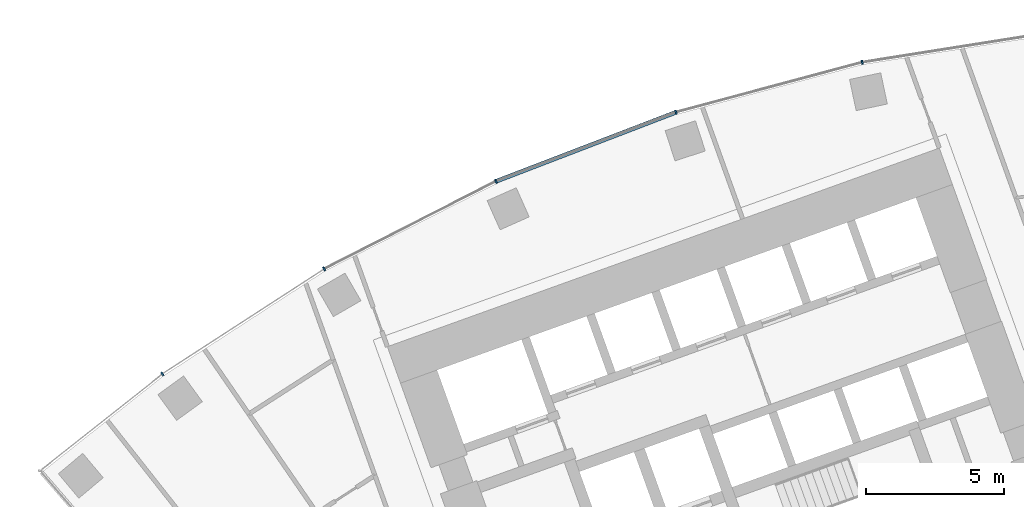
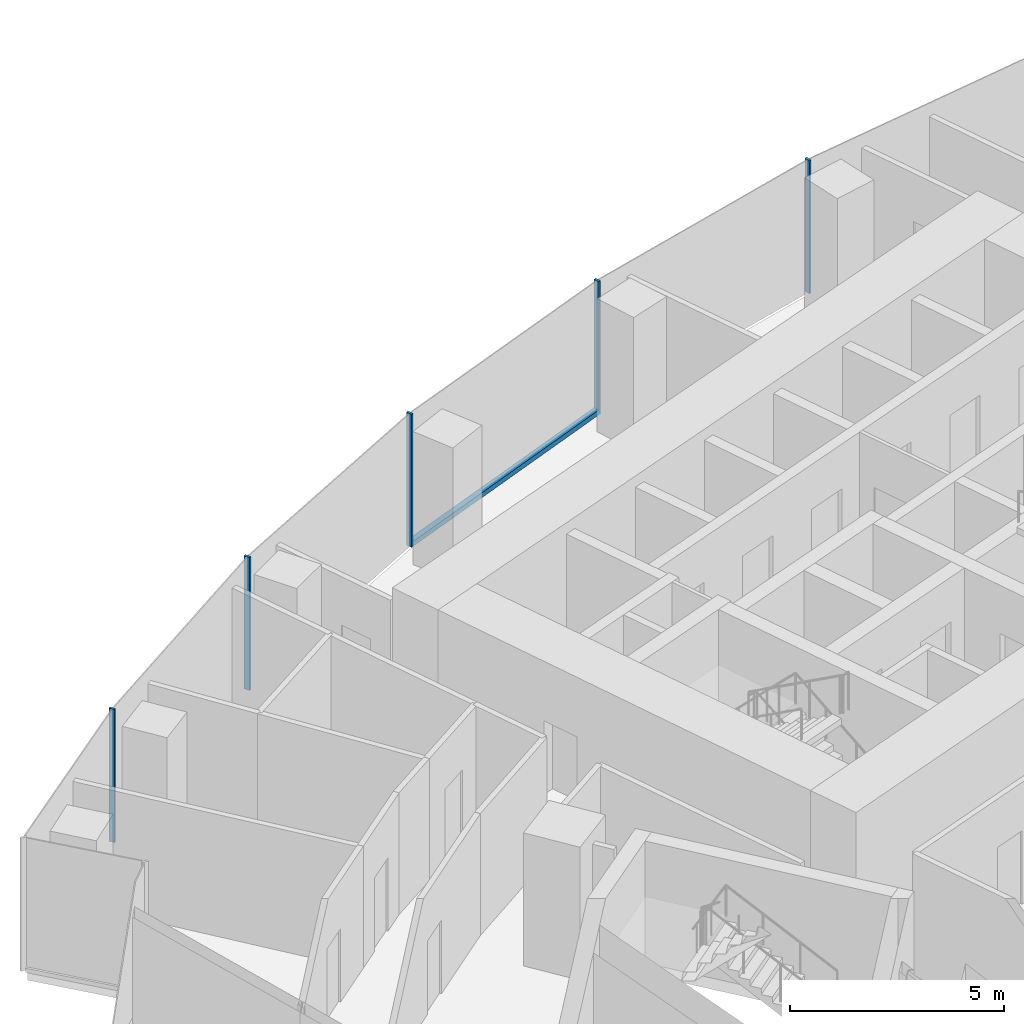
# One storey, part 5 of 21: 6 members, 1 element without a shape of its own.
"""IFC4 building model written with IfcOpenShell, lengths in metres."""

from ifc_helpers import new_model, si_unit, direction, frame, origin, origin_2d, place, context, subcontext, project, spatial, rectangle, extrude, material, layer, layer_set, material_profile, profile_set, type_object, element, aggregate, save


model = new_model("IFC4")

# Units and contexts
model_context = context("Model", 3, precision=1e-05, world=origin(), true_north=direction((0.0, 1.0)))
body_context = subcontext(model_context, "Body", "Model", "MODEL_VIEW")
ifc_project = project(units=[si_unit("LENGTHUNIT", "METRE"), si_unit("AREAUNIT", "SQUARE_METRE"), si_unit("VOLUMEUNIT", "CUBIC_METRE"), si_unit("PLANEANGLEUNIT", "RADIAN"), si_unit("MASSUNIT", "GRAM", prefix="KILO")], contexts=[model_context])

# Site, building, storey
site_placement = place(None, origin())
site = spatial("IfcSite", under=ifc_project, at=site_placement, CompositionType="ELEMENT")
building_placement = place(site_placement, origin())
building = spatial("IfcBuilding", under=site, at=building_placement, Name="Stone Belt Terrace Tower", CompositionType="ELEMENT")
storey_placement = place(building_placement, frame((0.0, 0.0, 117.39990234375)))
storey = spatial("IfcBuildingStorey", under=building, at=storey_placement, Name="L28", CompositionType="ELEMENT", Elevation=117.39990234375)

# Curtain wall, members
ifc_material = material(Name="Aluminium 6063-T6 anodised frame", Category="aluminium")
ifc_layer = layer(ifc_material, 0.14990234375)
ifc_layer_set = layer_set([ifc_layer], Name="CW-A unitised convex-face curtain wall")
curtain_wall_type = type_object("IfcCurtainWallType", Name="CW-A unitised convex-face curtain wall", PredefinedType="NOTDEFINED", material=ifc_layer_set)
curtain_wall_placement = place(storey_placement, origin())
curtain_wall = element("IfcCurtainWall", 1, at=curtain_wall_placement, inside=storey, type_object=curtain_wall_type, Name="CW-A convex face L28", PredefinedType="NOTDEFINED")
ifc_material_profile_1 = material_profile(ifc_material, rectangle(XDim=0.14990234375, YDim=0.06005859375, at=origin_2d()), Name="Aluminium 6063-T6 60x150")
ifc_profile_set_1 = profile_set([ifc_material_profile_1], Name="Aluminium 6063-T6 anodised frame")
member_type_1 = type_object("IfcMemberType", Name="CW-A mullion 60 x 150", PredefinedType="MULLION", material=ifc_profile_set_1)
member_1_placement = place(storey_placement, frame((-13.841796875, 65.120361328125, 0.0), z_axis=(0.0, 0.0, 1.0), x_axis=(0.207911690818, -0.978147600734, 0.0)))
member_1 = element("IfcMember", 2, at=member_1_placement, type_object=member_type_1, Name="CW-A mullion 12", PredefinedType="MULLION", context=body_context, shape_type="SweptSolid", body=[
    extrude(rectangle(XDim=0.14990234375, YDim=0.06005859375, at=origin_2d()), origin(), (0.0, 0.0, 1.0), 3.800048828125),
])
member_2_placement = place(storey_placement, frame((-20.57275390625, 63.316650390625, 0.0), z_axis=(0.0, 0.0, 1.0), x_axis=(0.309016994375, -0.951056516295, 0.0)))
member_2 = element("IfcMember", 3, at=member_2_placement, type_object=member_type_1, Name="CW-A mullion 13", PredefinedType="MULLION", context=body_context, shape_type="SweptSolid", body=[
    extrude(rectangle(XDim=0.14990234375, YDim=0.06005859375, at=origin_2d()), origin(), (0.0, 0.0, 1.0), 3.800048828125),
])
member_3_placement = place(storey_placement, frame((-27.07861328125, 60.8193359375, 0.0), z_axis=(0.0, 0.0, 1.0), x_axis=(0.406736643076, -0.913545457643, 0.0)))
member_3 = element("IfcMember", 4, at=member_3_placement, type_object=member_type_1, Name="CW-A mullion 14", PredefinedType="MULLION", context=body_context, shape_type="SweptSolid", body=[
    extrude(rectangle(XDim=0.14990234375, YDim=0.06005859375, at=origin_2d()), origin(), (0.0, 0.0, 1.0), 3.800048828125),
])
member_4_placement = place(storey_placement, frame((-33.28759765625, 57.65576171875, 0.0), z_axis=(0.0, 0.0, 1.0), x_axis=(0.5, -0.866025403784, 0.0)))
member_4 = element("IfcMember", 5, at=member_4_placement, type_object=member_type_1, Name="CW-A mullion 15", PredefinedType="MULLION", context=body_context, shape_type="SweptSolid", body=[
    extrude(rectangle(XDim=0.14990234375, YDim=0.06005859375, at=origin_2d()), origin(), (0.0, 0.0, 1.0), 3.800048828125),
])
member_5_placement = place(storey_placement, frame((-39.131591796875, 53.860595703125, 0.0), z_axis=(0.0, 0.0, 1.0), x_axis=(0.583508737005, -0.812106861096, 0.0)))
member_5 = element("IfcMember", 6, at=member_5_placement, type_object=member_type_1, Name="CW-A mullion 16", PredefinedType="MULLION", context=body_context, shape_type="SweptSolid", body=[
    extrude(rectangle(XDim=0.14990234375, YDim=0.06005859375, at=origin_2d()), origin(), (0.0, 0.0, 1.0), 3.800048828125),
])
ifc_material_profile_2 = material_profile(ifc_material, rectangle(XDim=0.14990234375, YDim=0.139892578125, at=origin_2d()), Name="Aluminium 6063-T6 150x140")
ifc_profile_set_2 = profile_set([ifc_material_profile_2], Name="Aluminium 6063-T6 anodised frame")
member_type_2 = type_object("IfcMemberType", Name="CW-A transom 140 x 150", PredefinedType="USERDEFINED", material=ifc_profile_set_2)
member_6_placement = place(storey_placement, frame((-20.6044921875, 63.304443359375, 0.070068359375), z_axis=(-0.933585210269, -0.358355487146, 0.0), x_axis=(0.358355487146, -0.933585210269, 0.0)))
member_6 = element("IfcMember", 7, at=member_6_placement, type_object=member_type_2, Name="CW-A transom 13.1", ObjectType="TRANSOM", PredefinedType="USERDEFINED", context=body_context, shape_type="SweptSolid", body=[
    extrude(rectangle(XDim=0.14990234375, YDim=0.139892578125, at=origin_2d()), origin(), (0.0, 0.0, 1.0), 6.900634765625),
])
aggregate(curtain_wall, [member_1, member_2, member_3, member_4, member_5, member_6])

save(model, "model.ifc")
